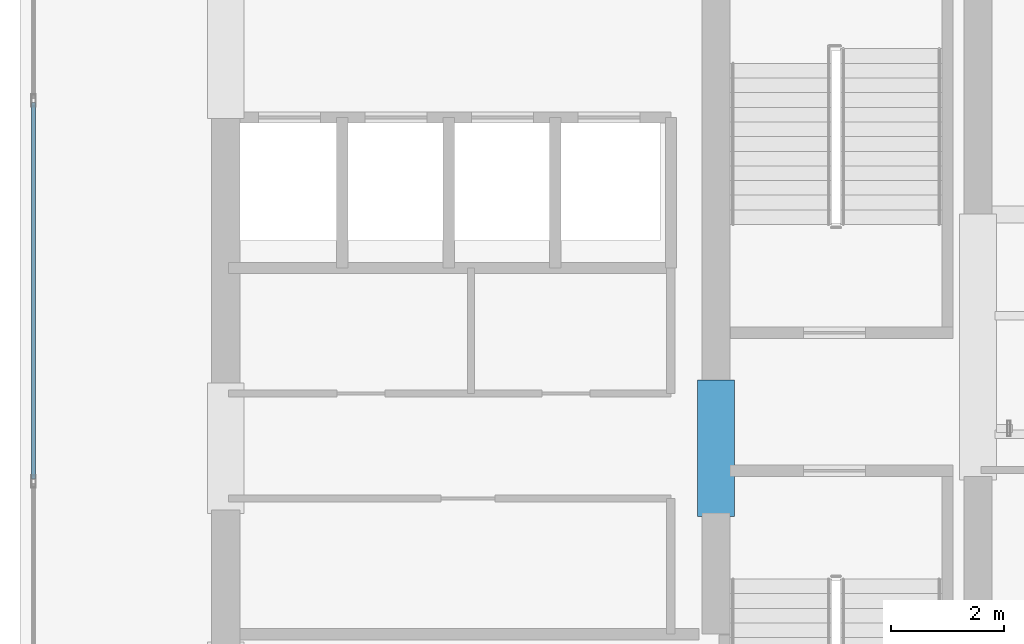
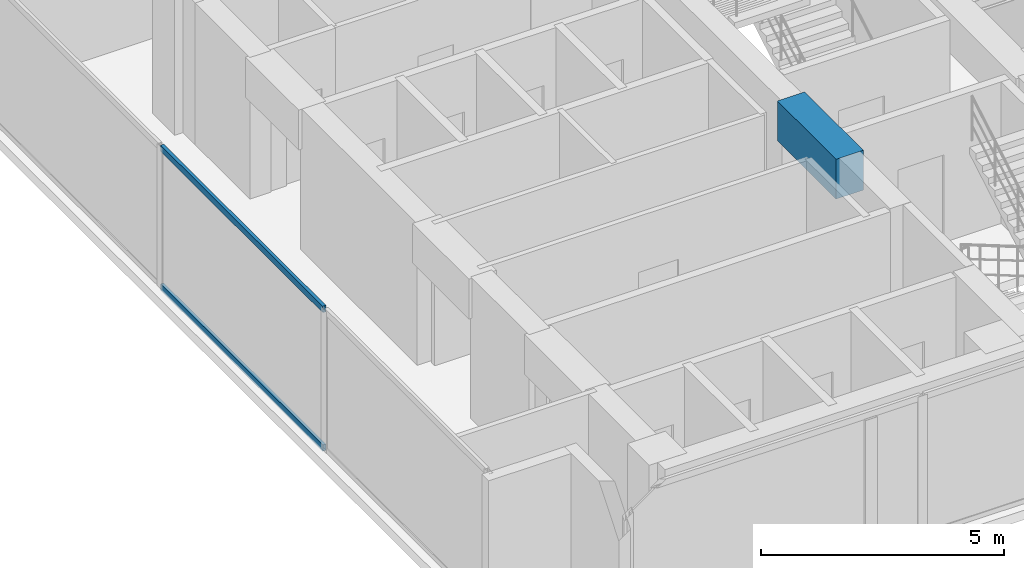
# One storey, part 3 of 22: 2 members, 1 beam, 1 element without a shape of its own.
"""IFC4 building model written with IfcOpenShell, lengths in metres."""

from ifc_helpers import new_model, si_unit, direction, frame, origin, origin_with_axes, origin_2d, place, context, subcontext, project, spatial, rectangle, hollow_rectangle, extrude, source, transform, mapped, material, layer, layer_set, material_profile, profile_set, type_object, element, aggregate, save


model = new_model("IFC4")

# Units and contexts
model_context = context("Model", 3, precision=1e-05, world=origin(), true_north=direction((0.0, 1.0)))
body_context = subcontext(model_context, "Body", "Model", "MODEL_VIEW")
ifc_project = project(units=[si_unit("LENGTHUNIT", "METRE"), si_unit("AREAUNIT", "SQUARE_METRE"), si_unit("VOLUMEUNIT", "CUBIC_METRE"), si_unit("PLANEANGLEUNIT", "RADIAN"), si_unit("MASSUNIT", "GRAM", prefix="KILO")], contexts=[model_context])

# Site, building, storey
site_placement = place(None, origin())
site = spatial("IfcSite", under=ifc_project, at=site_placement, CompositionType="ELEMENT")
building_placement = place(site_placement, origin())
building = spatial("IfcBuilding", under=site, at=building_placement, Name="Kolvaren Waterfront Exchange", CompositionType="ELEMENT")
storey_placement = place(building_placement, frame((0.0, 0.0, 266.60009765625)))
storey = spatial("IfcBuildingStorey", under=building, at=storey_placement, Name="L68", CompositionType="ELEMENT", Elevation=266.60009765625)

# Beam
ifc_material_1 = material(Name="Concrete C60/75", Category="concrete")
ifc_material_profile_1 = material_profile(ifc_material_1, rectangle(XDim=0.64990234375, YDim=1.0, at=origin_2d()), Name="RC-CB-1000x650")
ifc_profile_set_1 = profile_set([ifc_material_profile_1], Name="Concrete C60/75")
beam_type = type_object("IfcBeamType", Name="STR-CB-1000", PredefinedType="SPANDREL", material=ifc_profile_set_1)
beam_placement = place(storey_placement, frame((16.14990234375, 12.0400390625, 3.059814453125), z_axis=(0.0, 1.0, 0.0), x_axis=(-1.0, 0.0, 0.0)))
element("IfcBeam", 1, at=beam_placement, inside=storey, type_object=beam_type, Name="L68 core coupling beam 6", PredefinedType="SPANDREL", context=body_context, shape_type="SweptSolid", body=[
    extrude(rectangle(XDim=0.64990234375, YDim=1.0, at=origin_2d()), origin(), (0.0, 0.0, 1.0), 2.419921875),
])

# Curtain wall, members
ifc_material_2 = material(Name="Anodised aluminium 6063-T6", Category="aluminium")
ifc_layer = layer(ifc_material_2, 0.219970703125, Name="Anodised aluminium 6063-T6")
ifc_layer_set = layer_set([ifc_layer], Name="Anodised aluminium 6063-T6")
curtain_wall_type = type_object("IfcCurtainWallType", Name="ARC-CW-SYS2", PredefinedType="USERDEFINED", material=ifc_layer_set)
curtain_wall_placement = place(storey_placement, origin())
curtain_wall = element("IfcCurtainWall", 2, at=curtain_wall_placement, inside=storey, type_object=curtain_wall_type, Name="L68 stick curtain wall CW2 (CW-L68-W)", ObjectType="STICK CURTAIN WALL", PredefinedType="USERDEFINED")
ifc_material_profile_2 = material_profile(ifc_material_2, hollow_rectangle(XDim=0.074951171875, YDim=0.159912109375, WallThickness=0.00439453125, at=origin_2d()), Name="ALU-TRN-160x75x4.5")
ifc_profile_set_2 = profile_set([ifc_material_profile_2], Name="Anodised aluminium 6063-T6")
member_type = type_object("IfcMemberType", Name="ARC-CWT-160", PredefinedType="USERDEFINED", material=ifc_profile_set_2)
shared_shape = source(origin_with_axes(), body_context, "Body", "SweptSolid", [
    extrude(hollow_rectangle(XDim=0.074951171875, YDim=0.159912109375, WallThickness=0.00439453125, at=origin_2d()), origin(), (0.0, 0.0, 1.0), 6.6806640625),
])
member_1_placement = place(storey_placement, frame((4.0400390625, 12.700439453125, 0.037353515625), z_axis=(0.0, 1.0, 0.0), x_axis=(-1.0, 0.0, 0.0)))
member_1 = element("IfcMember", 3, at=member_1_placement, type_object=member_type, Name="CW2 transom 2.1", ObjectType="TRANSOM", PredefinedType="USERDEFINED", context=body_context, shape_type="MappedRepresentation", body=[
    mapped(shared_shape, transform((0.0, 0.0, 0.0), x_axis=(1.0, 0.0, 0.0), y_axis=(0.0, 1.0, 0.0), z_axis=(0.0, 0.0, 1.0), scale=1.0)),
])
member_2_placement = place(storey_placement, frame((4.0400390625, 12.700439453125, 3.5224609375), z_axis=(0.0, 1.0, 0.0), x_axis=(-1.0, 0.0, 0.0)))
member_2 = element("IfcMember", 4, at=member_2_placement, type_object=member_type, Name="CW2 transom 2.2", ObjectType="TRANSOM", PredefinedType="USERDEFINED", context=body_context, shape_type="MappedRepresentation", body=[
    mapped(shared_shape, transform((0.0, 0.0, 0.0), x_axis=(1.0, 0.0, 0.0), y_axis=(0.0, 1.0, 0.0), z_axis=(0.0, 0.0, 1.0), scale=1.0)),
])
aggregate(curtain_wall, [member_1, member_2])

save(model, "model.ifc")
